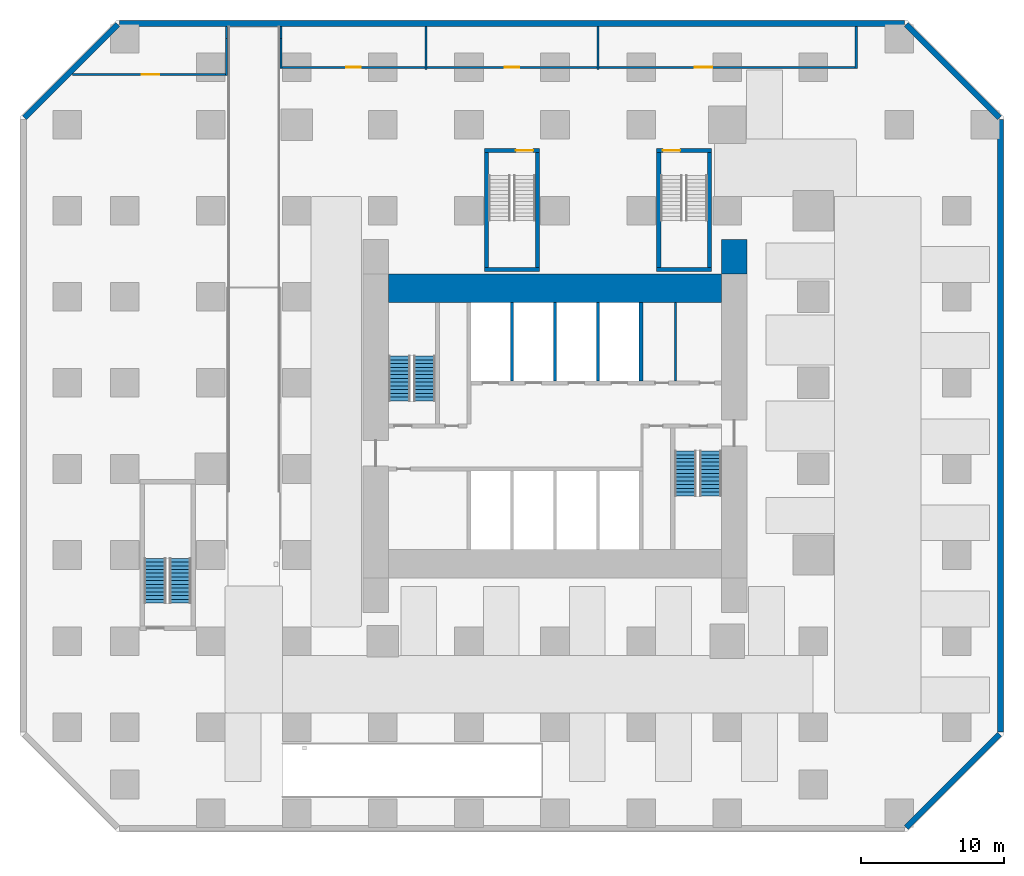
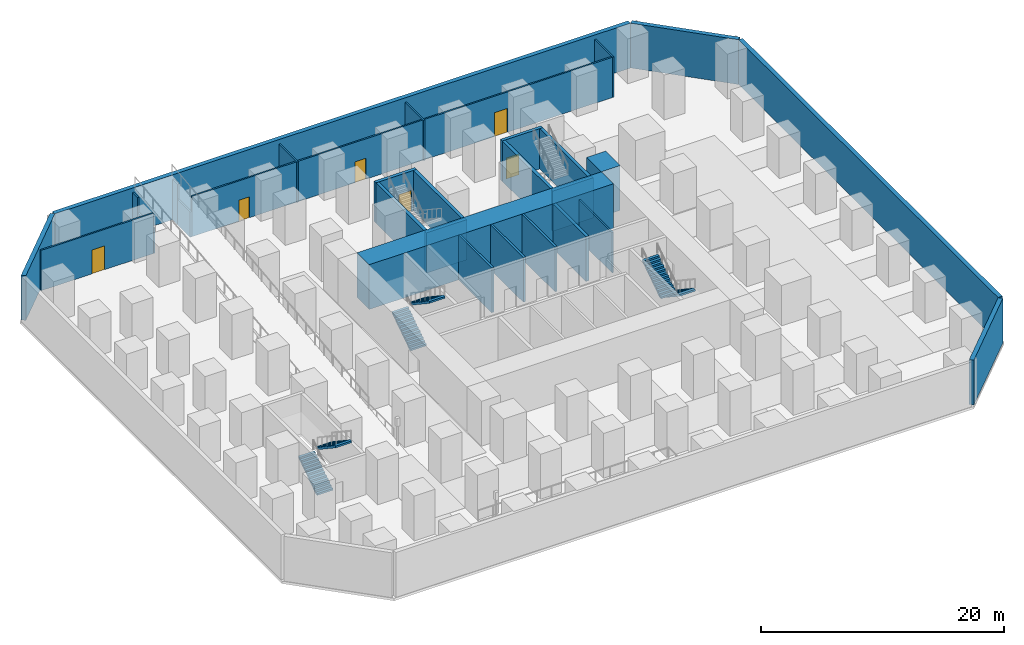
# One storey, part 3 of 6: 31 walls, 6 doors, 6 stair flights, 6 openings, 3 elements without a shape of their own.
"""IFC4 building model written with IfcOpenShell, lengths in metres."""

from ifc_helpers import new_model, si_unit, direction, frame, frame_2d, origin, place, context, subcontext, project, spatial, polyline, rectangle, outline, extrude, material, layer, layer_set, type_object, element, fill, aggregate, save


model = new_model("IFC4")

# Units and contexts
model_context = context("Model", 3, precision=1e-05, world=origin(), true_north=direction((0.0, 1.0)))
body_context = subcontext(model_context, "Body", "Model", "MODEL_VIEW")
ifc_project = project(units=[si_unit("LENGTHUNIT", "METRE"), si_unit("AREAUNIT", "SQUARE_METRE"), si_unit("VOLUMEUNIT", "CUBIC_METRE"), si_unit("PLANEANGLEUNIT", "RADIAN"), si_unit("MASSUNIT", "GRAM", prefix="KILO")], contexts=[model_context])

# Site, building, storey
site_placement = place(None, origin())
site = spatial("IfcSite", under=ifc_project, at=site_placement, CompositionType="ELEMENT")
building_placement = place(site_placement, origin())
building = spatial("IfcBuilding", under=site, at=building_placement, Name="Highveld Stack Headquarters", CompositionType="ELEMENT")
storey_placement = place(building_placement, frame((0.0, 0.0, -4.5)))
storey = spatial("IfcBuildingStorey", under=building, at=storey_placement, Name="B1", CompositionType="ELEMENT", Elevation=-4.5)

# Walls
ifc_material_1 = material(Name="Concrete C60/75", Category="concrete")
ifc_layer_1 = layer(ifc_material_1, 0.39990234375)
ifc_layer_set_1 = layer_set([ifc_layer_1], Name="Concrete C60/75")
wall_type_1 = type_object("IfcWallType", Name="BASEMENT RETAINING WALL 400", PredefinedType="USERDEFINED", material=ifc_layer_set_1)
wall_1_placement = place(storey_placement, frame((-30.989990234375, 24.494873046875, 0.0), z_axis=(0.0, 0.0, 1.0), x_axis=(0.707106781187, 0.707106781187, 0.0)))
element("IfcWall", 1, at=wall_1_placement, inside=storey, type_object=wall_type_1, Name="Basement retaining wall B1 3", ObjectType="RETAINING WALL", PredefinedType="USERDEFINED", context=body_context, shape_type="SweptSolid", body=[
    extrude(rectangle(XDim=9.185546875, YDim=0.39990234375, at=frame_2d((4.5927734375, 0.0))), origin(), (0.0, 0.0, 1.0), 4.5),
])
wall_2_placement = place(storey_placement, frame((-24.35009765625, 31.050048828125, 0.0), z_axis=(0.0, 0.0, 1.0), x_axis=(1.0, 0.0, 0.0)))
element("IfcWall", 2, at=wall_2_placement, inside=storey, type_object=wall_type_1, Name="Basement retaining wall B1 4", ObjectType="RETAINING WALL", PredefinedType="USERDEFINED", context=body_context, shape_type="SweptSolid", body=[
    extrude(rectangle(XDim=54.7001953125, YDim=0.39990234375, at=frame_2d((27.35009765625, 0.0))), origin(), (0.0, 0.0, 1.0), 4.5),
])
wall_3_placement = place(storey_placement, frame((30.494873046875, 30.989990234375, 0.0), z_axis=(0.0, 0.0, 1.0), x_axis=(0.707106781187, -0.707106781187, 0.0)))
element("IfcWall", 3, at=wall_3_placement, inside=storey, type_object=wall_type_1, Name="Basement retaining wall B1 5", ObjectType="RETAINING WALL", PredefinedType="USERDEFINED", context=body_context, shape_type="SweptSolid", body=[
    extrude(rectangle(XDim=9.185546875, YDim=0.39990234375, at=frame_2d((4.5927734375, 0.0))), origin(), (0.0, 0.0, 1.0), 4.5),
])
wall_4_placement = place(storey_placement, frame((37.050048828125, 24.35009765625, 0.0), z_axis=(0.0, 0.0, 1.0), x_axis=(0.0, -1.0, 0.0)))
element("IfcWall", 4, at=wall_4_placement, inside=storey, type_object=wall_type_1, Name="Basement retaining wall B1 6", ObjectType="RETAINING WALL", PredefinedType="USERDEFINED", context=body_context, shape_type="SweptSolid", body=[
    extrude(rectangle(XDim=42.7001953125, YDim=0.39990234375, at=frame_2d((21.35009765625, 0.0))), origin(), (0.0, 0.0, 1.0), 4.5),
])
wall_5_placement = place(storey_placement, frame((36.989990234375, -18.494873046875, 0.0), z_axis=(0.0, 0.0, 1.0), x_axis=(-0.707106781187, -0.707106781187, 0.0)))
element("IfcWall", 5, at=wall_5_placement, inside=storey, type_object=wall_type_1, Name="Basement retaining wall B1 7", ObjectType="RETAINING WALL", PredefinedType="USERDEFINED", context=body_context, shape_type="SweptSolid", body=[
    extrude(rectangle(XDim=9.185546875, YDim=0.39990234375, at=frame_2d((4.5927734375, 0.0))), origin(), (0.0, 0.0, 1.0), 4.5),
])
ifc_material_2 = material(Name="Concrete C60/75", Category="concrete")
ifc_layer_2 = layer(ifc_material_2, 2.0)
ifc_layer_set_2 = layer_set([ifc_layer_2], Name="Concrete C60/75")
wall_type_2 = type_object("IfcWallType", Name="CORE WALL 2000 C60/75", PredefinedType="SHEAR", material=ifc_layer_set_2)
wall_6_placement = place(storey_placement, frame((-5.60009765625, 12.60009765625, 0.0), z_axis=(0.0, 0.0, 1.0), x_axis=(1.0, 0.0, 0.0)))
element("IfcWall", 6, at=wall_6_placement, inside=storey, type_object=wall_type_2, Name="Core wall N B1", PredefinedType="SHEAR", context=body_context, shape_type="SweptSolid", body=[
    extrude(rectangle(XDim=23.2001953125, YDim=2.0, at=frame_2d((11.60009765625, 0.0))), origin(), (0.0, 0.0, 1.0), 4.5),
])
ifc_material_3 = material(Name="Concrete C60/75", Category="concrete")
ifc_layer_3 = layer(ifc_material_3, 0.300048828125)
ifc_layer_set_3 = layer_set([ifc_layer_3], Name="Concrete C60/75")
wall_type_3 = type_object("IfcWallType", Name="CORE WALL 300 C60/75", PredefinedType="SHEAR", material=ifc_layer_set_3)
wall_7_placement = place(storey_placement, frame((12.0, 6.14990234375, 0.0), z_axis=(0.0, 0.0, 1.0), x_axis=(0.0, 1.0, 0.0)))
element("IfcWall", 7, at=wall_7_placement, inside=storey, type_object=wall_type_3, Name="Core wall I-X12N B1", PredefinedType="SHEAR", context=body_context, shape_type="SweptSolid", body=[
    extrude(rectangle(XDim=5.4501953125, YDim=0.300048828125, at=frame_2d((2.72509765625, 0.0))), origin(), (0.0, 0.0, 1.0), 4.5),
])
ifc_material_4 = material(Name="Concrete C60/75", Category="concrete")
ifc_layer_4 = layer(ifc_material_4, 1.800048828125)
ifc_layer_set_4 = layer_set([ifc_layer_4], Name="Concrete C60/75")
wall_type_4 = type_object("IfcWallType", Name="CORE WING WALL 1800 C60/75", PredefinedType="SHEAR", material=ifc_layer_set_4)
wall_8_placement = place(storey_placement, frame((18.5, 13.60009765625, 0.0), z_axis=(0.0, 0.0, 1.0), x_axis=(0.0, 1.0, 0.0)))
element("IfcWall", 8, at=wall_8_placement, inside=storey, type_object=wall_type_4, Name="Core wing wall EN B1", PredefinedType="SHEAR", context=body_context, shape_type="SweptSolid", body=[
    extrude(rectangle(XDim=2.39990234375, YDim=1.800048828125, at=frame_2d((1.199951171875, 0.0))), origin(), (0.0, 0.0, 1.0), 4.5),
])

# Wall, opening, door
ifc_material_5 = material(Name="Concrete blockwork, plastered", Category="masonry")
ifc_layer_5 = layer(ifc_material_5, 0.14990234375)
ifc_layer_set_5 = layer_set([ifc_layer_5], Name="Concrete blockwork, plastered")
wall_type_5 = type_object("IfcWallType", Name="FIRE PARTITION 150 BLOCKWORK", PredefinedType="PARTITIONING", material=ifc_layer_set_5)
wall_9_placement = place(storey_placement, frame((-27.625, 27.5, 0.0), z_axis=(0.0, 0.0, 1.0), x_axis=(1.0, 0.0, 0.0)))
wall_9 = element("IfcWall", 9, at=wall_9_placement, inside=storey, type_object=wall_type_5, Name="Partition Refuse store B1", PredefinedType="PARTITIONING", context=body_context, shape_type="SweptSolid", body=[
    extrude(rectangle(XDim=10.64990234375, YDim=0.14990234375, at=frame_2d((5.324951171875, 0.0))), origin(), (0.0, 0.0, 1.0), 4.050048828125),
])
opening_1_placement = place(wall_9_placement, frame((4.824951171875, 0.0, 0.0)))
opening_1 = element("IfcOpeningElement", 10, at=opening_1_placement, cuts=wall_9, Name="Opening B1-13", PredefinedType="OPENING", context=body_context, shape_type="SweptSolid", body=[
    extrude(rectangle(XDim=1.199951171875, YDim=2.39990234375, at=frame_2d((0.60009765625, 1.199951171875))), frame((0.0, 0.0849609375, 0.0), z_axis=(0.0, -1.0, 0.0), x_axis=(1.0, 0.0, 0.0)), (0.0, 0.0, 1.0), 0.169921875),
])
ifc_material_6 = material(Name="Steel fire door", Category="steel")
door_type_1 = type_object("IfcDoorType", Name="PLANT FIRE DOOR D7 1200x2400", OperationType="SINGLE_SWING_LEFT", PredefinedType="DOOR", material=ifc_material_6)
door_1_placement = place(opening_1_placement, origin())
door_1 = element("IfcDoor", 11, at=door_1_placement, inside=storey, type_object=door_type_1, Name="Refuse store door 1 B1", OperationType="SINGLE_SWING_RIGHT", OverallHeight=2.39990234375, OverallWidth=1.199951171875, PredefinedType="DOOR", context=body_context, shape_type="SweptSolid", body=[
    extrude(rectangle(XDim=1.199951171875, YDim=2.39990234375, at=frame_2d((0.60009765625, 1.199951171875))), frame((0.0, 0.02490234375, 0.0), z_axis=(0.0, -1.0, 0.0), x_axis=(1.0, 0.0, 0.0)), (0.0, 0.0, 1.0), 0.050048828125),
])
fill(opening_1, door_1)

# Walls
wall_10_placement = place(storey_placement, frame((-16.89990234375, 27.425048828125, 0.0), z_axis=(0.0, 0.0, 1.0), x_axis=(0.0, 1.0, 0.0)))
element("IfcWall", 12, at=wall_10_placement, inside=storey, type_object=wall_type_5, Name="Partition Refuse store B1", PredefinedType="PARTITIONING", context=body_context, shape_type="SweptSolid", body=[
    extrude(rectangle(XDim=2.5849609375, YDim=0.14990234375, at=frame_2d((1.29248046875, 0.0))), origin(), (0.0, 0.0, 1.0), 2.550048828125),
])
wall_11_placement = place(storey_placement, frame((-16.89990234375, 30.010009765625, 0.0), z_axis=(0.0, 0.0, 1.0), x_axis=(0.0, 1.0, 0.0)))
element("IfcWall", 13, at=wall_11_placement, inside=storey, type_object=wall_type_5, Name="Partition Refuse store B1", PredefinedType="PARTITIONING", context=body_context, shape_type="SweptSolid", body=[
    extrude(rectangle(XDim=0.840087890625, YDim=0.14990234375, at=frame_2d((0.419921875, 0.0))), origin(), (0.0, 0.0, 1.0), 4.050048828125),
])

# Wall, opening, door
wall_12_placement = place(storey_placement, frame((9.074951171875, 28.0, 0.0), z_axis=(0.0, 0.0, 1.0), x_axis=(1.0, 0.0, 0.0)))
wall_12 = element("IfcWall", 14, at=wall_12_placement, inside=storey, type_object=wall_type_5, Name="Partition General store B1", PredefinedType="PARTITIONING", context=body_context, shape_type="SweptSolid", body=[
    extrude(rectangle(XDim=17.85009765625, YDim=0.14990234375, at=frame_2d((8.925048828125, 0.0))), origin(), (0.0, 0.0, 1.0), 4.050048828125),
])
opening_2_placement = place(wall_12_placement, frame((6.675048828125, 0.0, 0.0)))
opening_2 = element("IfcOpeningElement", 15, at=opening_2_placement, cuts=wall_12, Name="Opening B1-16", PredefinedType="OPENING", context=body_context, shape_type="SweptSolid", body=[
    extrude(rectangle(XDim=1.199951171875, YDim=2.39990234375, at=frame_2d((0.60009765625, 1.199951171875))), frame((0.0, 0.0849609375, 0.0), z_axis=(0.0, -1.0, 0.0), x_axis=(1.0, 0.0, 0.0)), (0.0, 0.0, 1.0), 0.169921875),
])
door_2_placement = place(opening_2_placement, origin())
door_2 = element("IfcDoor", 16, at=door_2_placement, inside=storey, type_object=door_type_1, Name="General store door 1 B1", OperationType="SINGLE_SWING_LEFT", OverallHeight=2.39990234375, OverallWidth=1.199951171875, PredefinedType="DOOR", context=body_context, shape_type="SweptSolid", body=[
    extrude(rectangle(XDim=1.199951171875, YDim=2.39990234375, at=frame_2d((0.60009765625, 1.199951171875))), frame((0.0, 0.02490234375, 0.0), z_axis=(0.0, -1.0, 0.0), x_axis=(1.0, 0.0, 0.0)), (0.0, 0.0, 1.0), 0.050048828125),
])
fill(opening_2, door_2)

# Walls
wall_13_placement = place(storey_placement, frame((27.0, 27.925048828125, 0.0), z_axis=(0.0, 0.0, 1.0), x_axis=(0.0, 1.0, 0.0)))
element("IfcWall", 17, at=wall_13_placement, inside=storey, type_object=wall_type_5, Name="Partition General store B1", PredefinedType="PARTITIONING", context=body_context, shape_type="SweptSolid", body=[
    extrude(rectangle(XDim=2.925048828125, YDim=0.14990234375, at=frame_2d((1.46240234375, 0.0))), origin(), (0.0, 0.0, 1.0), 4.050048828125),
])
ifc_material_7 = material(Name="Concrete blockwork, fair-faced", Category="masonry")
ifc_layer_6 = layer(ifc_material_7, 0.199951171875)
ifc_layer_set_6 = layer_set([ifc_layer_6], Name="Concrete blockwork, fair-faced")
wall_type_6 = type_object("IfcWallType", Name="LIFT SHAFT ENCLOSURE WALL 200 BLOCKWORK", PredefinedType="SOLIDWALL", material=ifc_layer_set_6)
for number, where, z_axis, x_axis, name in (
    (18, (3.0, 6.14990234375, 0.0), (0.0, 0.0, 1.0), (0.0, 1.0, 0.0), "Lift shaft wall B1"),
    (19, (6.0, 6.14990234375, 0.0), (0.0, 0.0, 1.0), (0.0, 1.0, 0.0), "Lift shaft wall B1"),
    (20, (9.0, 6.14990234375, 0.0), (0.0, 0.0, 1.0), (0.0, 1.0, 0.0), "Lift shaft wall B1"),
):
    element("IfcWall", number, at=place(storey_placement, frame(where, z_axis=z_axis, x_axis=x_axis)), inside=storey, type_object=wall_type_6, Name=name, PredefinedType="SOLIDWALL", context=body_context, shape_type="SweptSolid", body=[
        extrude(rectangle(XDim=5.4501953125, YDim=0.199951171875, at=frame_2d((2.72509765625, 0.0))), origin(), (0.0, 0.0, 1.0), 4.5),
    ])

# Wall, opening, door
ifc_material_8 = material(Name="Gypsum plasterboard on steel studs", Category="steel")
ifc_layer_7 = layer(ifc_material_8, 0.14990234375)
ifc_layer_set_7 = layer_set([ifc_layer_7], Name="Gypsum plasterboard on steel studs")
wall_type_7 = type_object("IfcWallType", Name="PARTITION 150 PLASTERBOARD", PredefinedType="PARTITIONING", material=ifc_layer_set_7)
wall_14_placement = place(storey_placement, frame((-13.02490234375, 28.0, 0.0), z_axis=(0.0, 0.0, 1.0), x_axis=(1.0, 0.0, 0.0)))
wall_14 = element("IfcWall", 21, at=wall_14_placement, inside=storey, type_object=wall_type_7, Name="Partition Bicycle store B1", PredefinedType="PARTITIONING", context=body_context, shape_type="SweptSolid", body=[
    extrude(rectangle(XDim=9.949951171875, YDim=0.14990234375, at=frame_2d((4.97509765625, 0.0))), origin(), (0.0, 0.0, 1.0), 4.050048828125),
])
opening_3_placement = place(wall_14_placement, frame((4.47509765625, 0.0, 0.0)))
opening_3 = element("IfcOpeningElement", 22, at=opening_3_placement, cuts=wall_14, Name="Opening B1-14", PredefinedType="OPENING", context=body_context, shape_type="SweptSolid", body=[
    extrude(rectangle(XDim=1.0, YDim=2.10009765625, at=frame_2d((0.5, 1.050048828125))), frame((0.0, 0.0849609375, 0.0), z_axis=(0.0, -1.0, 0.0), x_axis=(1.0, 0.0, 0.0)), (0.0, 0.0, 1.0), 0.169921875),
])
ifc_material_9 = material(Name="Timber door, oiled ash", Category="wood")
door_type_2 = type_object("IfcDoorType", Name="ROOM DOOR D6 1000x2100", OperationType="SINGLE_SWING_LEFT", PredefinedType="DOOR", material=ifc_material_9)
door_3_placement = place(opening_3_placement, origin())
door_3 = element("IfcDoor", 23, at=door_3_placement, inside=storey, type_object=door_type_2, Name="Bicycle store door 1 B1", OperationType="SINGLE_SWING_LEFT", OverallHeight=2.10009765625, OverallWidth=1.0, PredefinedType="DOOR", context=body_context, shape_type="SweptSolid", body=[
    extrude(rectangle(XDim=1.0, YDim=2.10009765625, at=frame_2d((0.5, 1.050048828125))), frame((0.0, 0.02490234375, 0.0), z_axis=(0.0, -1.0, 0.0), x_axis=(1.0, 0.0, 0.0)), (0.0, 0.0, 1.0), 0.050048828125),
])
fill(opening_3, door_3)

# Walls
wall_15_placement = place(storey_placement, frame((-13.10009765625, 27.925048828125, 0.0), z_axis=(0.0, 0.0, 1.0), x_axis=(0.0, 1.0, 0.0)))
element("IfcWall", 24, at=wall_15_placement, inside=storey, type_object=wall_type_7, Name="Partition Bicycle store B1", PredefinedType="PARTITIONING", context=body_context, shape_type="SweptSolid", body=[
    extrude(rectangle(XDim=2.0849609375, YDim=0.14990234375, at=frame_2d((1.04248046875, 0.0))), origin(), (0.0, 0.0, 1.0), 2.550048828125),
])
wall_16_placement = place(storey_placement, frame((-13.10009765625, 30.010009765625, 0.0), z_axis=(0.0, 0.0, 1.0), x_axis=(0.0, 1.0, 0.0)))
element("IfcWall", 25, at=wall_16_placement, inside=storey, type_object=wall_type_7, Name="Partition Bicycle store B1", PredefinedType="PARTITIONING", context=body_context, shape_type="SweptSolid", body=[
    extrude(rectangle(XDim=0.840087890625, YDim=0.14990234375, at=frame_2d((0.419921875, 0.0))), origin(), (0.0, 0.0, 1.0), 4.050048828125),
])
wall_17_placement = place(storey_placement, frame((-3.0, 27.85009765625, 0.0), z_axis=(0.0, 0.0, 1.0), x_axis=(0.0, 1.0, 0.0)))
element("IfcWall", 26, at=wall_17_placement, inside=storey, type_object=wall_type_7, Name="Partition Bicycle store B1", PredefinedType="PARTITIONING", context=body_context, shape_type="SweptSolid", body=[
    extrude(rectangle(XDim=3.0, YDim=0.14990234375, at=frame_2d((1.5, 0.0))), origin(), (0.0, 0.0, 1.0), 4.050048828125),
])

# Wall, opening, door
wall_18_placement = place(storey_placement, frame((-2.925048828125, 28.0, 0.0), z_axis=(0.0, 0.0, 1.0), x_axis=(1.0, 0.0, 0.0)))
wall_18 = element("IfcWall", 27, at=wall_18_placement, inside=storey, type_object=wall_type_7, Name="Partition Staff changing room B1", PredefinedType="PARTITIONING", context=body_context, shape_type="SweptSolid", body=[
    extrude(rectangle(XDim=11.85009765625, YDim=0.14990234375, at=frame_2d((5.925048828125, 0.0))), origin(), (0.0, 0.0, 1.0), 4.050048828125),
])
opening_4_placement = place(wall_18_placement, frame((5.425048828125, 0.0, 0.0)))
opening_4 = element("IfcOpeningElement", 28, at=opening_4_placement, cuts=wall_18, Name="Opening B1-15", PredefinedType="OPENING", context=body_context, shape_type="SweptSolid", body=[
    extrude(rectangle(XDim=1.0, YDim=2.10009765625, at=frame_2d((0.5, 1.050048828125))), frame((0.0, 0.0849609375, 0.0), z_axis=(0.0, -1.0, 0.0), x_axis=(1.0, 0.0, 0.0)), (0.0, 0.0, 1.0), 0.169921875),
])
door_4_placement = place(opening_4_placement, origin())
door_4 = element("IfcDoor", 29, at=door_4_placement, inside=storey, type_object=door_type_2, Name="Staff changing room door 1 B1", OperationType="SINGLE_SWING_LEFT", OverallHeight=2.10009765625, OverallWidth=1.0, PredefinedType="DOOR", context=body_context, shape_type="SweptSolid", body=[
    extrude(rectangle(XDim=1.0, YDim=2.10009765625, at=frame_2d((0.5, 1.050048828125))), frame((0.0, 0.02490234375, 0.0), z_axis=(0.0, -1.0, 0.0), x_axis=(1.0, 0.0, 0.0)), (0.0, 0.0, 1.0), 0.050048828125),
])
fill(opening_4, door_4)

# Walls
wall_19_placement = place(storey_placement, frame((9.0, 27.85009765625, 0.0), z_axis=(0.0, 0.0, 1.0), x_axis=(0.0, 1.0, 0.0)))
element("IfcWall", 30, at=wall_19_placement, inside=storey, type_object=wall_type_7, Name="Partition Staff changing room B1", PredefinedType="PARTITIONING", context=body_context, shape_type="SweptSolid", body=[
    extrude(rectangle(XDim=3.0, YDim=0.14990234375, at=frame_2d((1.5, 0.0))), origin(), (0.0, 0.0, 1.0), 4.050048828125),
])
ifc_material_10 = material(Name="Concrete C40/50", Category="concrete")
ifc_layer_8 = layer(ifc_material_10, 0.300048828125)
ifc_layer_set_8 = layer_set([ifc_layer_8], Name="Concrete C40/50")
wall_type_8 = type_object("IfcWallType", Name="STAIR ENCLOSURE WALL 300", PredefinedType="SOLIDWALL", material=ifc_layer_set_8)
wall_20_placement = place(storey_placement, frame((13.074951171875, 13.89990234375, 0.0), z_axis=(0.0, 0.0, 1.0), x_axis=(1.0, 0.0, 0.0)))
element("IfcWall", 31, at=wall_20_placement, inside=storey, type_object=wall_type_8, Name="Stair PS2 enclosure S B1", PredefinedType="SOLIDWALL", context=body_context, shape_type="SweptSolid", body=[
    extrude(rectangle(XDim=3.85009765625, YDim=0.300048828125, at=frame_2d((1.925048828125, 0.0))), origin(), (0.0, 0.0, 1.0), 4.050048828125),
])

# Wall, opening, door
wall_21_placement = place(storey_placement, frame((13.074951171875, 22.199951171875, 0.0), z_axis=(0.0, 0.0, 1.0), x_axis=(1.0, 0.0, 0.0)))
wall_21 = element("IfcWall", 32, at=wall_21_placement, inside=storey, type_object=wall_type_8, Name="Stair PS2 enclosure N B1", PredefinedType="SOLIDWALL", context=body_context, shape_type="SweptSolid", body=[
    extrude(rectangle(XDim=3.85009765625, YDim=0.300048828125, at=frame_2d((1.925048828125, 0.0))), origin(), (0.0, 0.0, 1.0), 4.050048828125),
])
opening_5_placement = place(wall_21_placement, frame((0.449951171875, 0.0, 0.0)))
opening_5 = element("IfcOpeningElement", 33, at=opening_5_placement, cuts=wall_21, Name="Opening B1-11", PredefinedType="OPENING", context=body_context, shape_type="SweptSolid", body=[
    extrude(rectangle(XDim=1.199951171875, YDim=2.10009765625, at=frame_2d((0.60009765625, 1.050048828125))), frame((0.0, 0.159912109375, 0.0), z_axis=(0.0, -1.0, 0.0), x_axis=(1.0, 0.0, 0.0)), (0.0, 0.0, 1.0), 0.320068359375),
])
ifc_material_11 = material(Name="Steel fire door", Category="steel")
door_type_3 = type_object("IfcDoorType", Name="STAIR FIRE DOOR D3 1200x2100", OperationType="SINGLE_SWING_LEFT", PredefinedType="DOOR", material=ifc_material_11)
door_5_placement = place(opening_5_placement, origin())
door_5 = element("IfcDoor", 34, at=door_5_placement, inside=storey, type_object=door_type_3, Name="Stair PS2 door B1", OperationType="SINGLE_SWING_LEFT", OverallHeight=2.10009765625, OverallWidth=1.199951171875, PredefinedType="DOOR", context=body_context, shape_type="SweptSolid", body=[
    extrude(rectangle(XDim=1.199951171875, YDim=2.10009765625, at=frame_2d((0.60009765625, 1.050048828125))), frame((0.0, 0.02490234375, 0.0), z_axis=(0.0, -1.0, 0.0), x_axis=(1.0, 0.0, 0.0)), (0.0, 0.0, 1.0), 0.050048828125),
])
fill(opening_5, door_5)

# Walls
for number, where, z_axis, x_axis, name in (
    (35, (13.22509765625, 14.050048828125, 0.0), (0.0, 0.0, 1.0), (0.0, 1.0, 0.0), "Stair PS2 enclosure W B1"),
    (36, (16.77490234375, 14.050048828125, 0.0), (0.0, 0.0, 1.0), (0.0, 1.0, 0.0), "Stair PS2 enclosure E B1"),
):
    element("IfcWall", number, at=place(storey_placement, frame(where, z_axis=z_axis, x_axis=x_axis)), inside=storey, type_object=wall_type_8, Name=name, PredefinedType="SOLIDWALL", context=body_context, shape_type="SweptSolid", body=[
        extrude(rectangle(XDim=8.0, YDim=0.300048828125, at=frame_2d((4.0, 0.0))), origin(), (0.0, 0.0, 1.0), 4.050048828125),
    ])
wall_22_placement = place(storey_placement, frame((1.074951171875, 13.89990234375, 0.0), z_axis=(0.0, 0.0, 1.0), x_axis=(1.0, 0.0, 0.0)))
element("IfcWall", 37, at=wall_22_placement, inside=storey, type_object=wall_type_8, Name="Stair PS3 enclosure S B1", PredefinedType="SOLIDWALL", context=body_context, shape_type="SweptSolid", body=[
    extrude(rectangle(XDim=3.85009765625, YDim=0.300048828125, at=frame_2d((1.925048828125, 0.0))), origin(), (0.0, 0.0, 1.0), 4.050048828125),
])

# Wall, opening, door
wall_23_placement = place(storey_placement, frame((1.074951171875, 22.199951171875, 0.0), z_axis=(0.0, 0.0, 1.0), x_axis=(1.0, 0.0, 0.0)))
wall_23 = element("IfcWall", 38, at=wall_23_placement, inside=storey, type_object=wall_type_8, Name="Stair PS3 enclosure N B1", PredefinedType="SOLIDWALL", context=body_context, shape_type="SweptSolid", body=[
    extrude(rectangle(XDim=3.85009765625, YDim=0.300048828125, at=frame_2d((1.925048828125, 0.0))), origin(), (0.0, 0.0, 1.0), 4.050048828125),
])
opening_6_placement = place(wall_23_placement, frame((2.199951171875, 0.0, 0.0)))
opening_6 = element("IfcOpeningElement", 39, at=opening_6_placement, cuts=wall_23, Name="Opening B1-12", PredefinedType="OPENING", context=body_context, shape_type="SweptSolid", body=[
    extrude(rectangle(XDim=1.199951171875, YDim=2.10009765625, at=frame_2d((0.60009765625, 1.050048828125))), frame((0.0, 0.159912109375, 0.0), z_axis=(0.0, -1.0, 0.0), x_axis=(1.0, 0.0, 0.0)), (0.0, 0.0, 1.0), 0.320068359375),
])
door_6_placement = place(opening_6_placement, origin())
door_6 = element("IfcDoor", 40, at=door_6_placement, inside=storey, type_object=door_type_3, Name="Stair PS3 door B1", OperationType="SINGLE_SWING_RIGHT", OverallHeight=2.10009765625, OverallWidth=1.199951171875, PredefinedType="DOOR", context=body_context, shape_type="SweptSolid", body=[
    extrude(rectangle(XDim=1.199951171875, YDim=2.10009765625, at=frame_2d((0.60009765625, 1.050048828125))), frame((0.0, 0.02490234375, 0.0), z_axis=(0.0, -1.0, 0.0), x_axis=(1.0, 0.0, 0.0)), (0.0, 0.0, 1.0), 0.050048828125),
])
fill(opening_6, door_6)

# Walls
for number, where, z_axis, x_axis, name in (
    (41, (1.22509765625, 14.050048828125, 0.0), (0.0, 0.0, 1.0), (0.0, 1.0, 0.0), "Stair PS3 enclosure W B1"),
    (42, (4.77490234375, 14.050048828125, 0.0), (0.0, 0.0, 1.0), (0.0, 1.0, 0.0), "Stair PS3 enclosure E B1"),
):
    element("IfcWall", number, at=place(storey_placement, frame(where, z_axis=z_axis, x_axis=x_axis)), inside=storey, type_object=wall_type_8, Name=name, PredefinedType="SOLIDWALL", context=body_context, shape_type="SweptSolid", body=[
        extrude(rectangle(XDim=8.0, YDim=0.300048828125, at=frame_2d((4.0, 0.0))), origin(), (0.0, 0.0, 1.0), 4.050048828125),
    ])
ifc_material_12 = material(Name="Concrete blockwork, tiled", Category="masonry")
ifc_layer_9 = layer(ifc_material_12, 0.14990234375)
ifc_layer_set_9 = layer_set([ifc_layer_9], Name="Concrete blockwork, tiled")
wall_type_9 = type_object("IfcWallType", Name="WC PARTITION 150", PredefinedType="PLUMBINGWALL", material=ifc_layer_set_9)
wall_24_placement = place(storey_placement, frame((14.39990234375, 6.14990234375, 0.0), z_axis=(0.0, 0.0, 1.0), x_axis=(0.0, 1.0, 0.0)))
element("IfcWall", 43, at=wall_24_placement, inside=storey, type_object=wall_type_9, Name="Toilet partition B1", PredefinedType="PLUMBINGWALL", context=body_context, shape_type="SweptSolid", body=[
    extrude(rectangle(XDim=5.4501953125, YDim=0.14990234375, at=frame_2d((2.72509765625, 0.0))), origin(), (0.0, 0.0, 1.0), 4.050048828125),
])

# Stair, stair flights
ifc_material_13 = material(Name="Concrete C40/50, precast", Category="concrete")
stair_type_1 = type_object("IfcStairType", Name="STAIR S1 HALF TURN 1500", PredefinedType="HALF_TURN_STAIR", material=ifc_material_13)
stair_1_placement = place(storey_placement, origin())
stair_1 = element("IfcStair", 44, at=stair_1_placement, inside=storey, type_object=stair_type_1, Name="Stair S1 B1", PredefinedType="HALF_TURN_STAIR")
ifc_material_14 = material(Name="Concrete C40/50, precast", Category="concrete")
stair_flight_type = type_object("IfcStairFlightType", Name="STAIR FLIGHT 1500 PRECAST", PredefinedType="STRAIGHT", material=ifc_material_14)
stair_flight_1_placement = place(storey_placement, frame((-4.85009765625, 4.75, 0.0), z_axis=(0.0, 0.0, 1.0), x_axis=(0.0, 1.0, 0.0)))
stair_flight_1 = element("IfcStairFlight", 45, at=stair_flight_1_placement, type_object=stair_flight_type, Name="S1 flight 1", NumberOfRisers=13, NumberOfTreads=12, PredefinedType="STRAIGHT", RiserHeight=0.173076923, TreadLength=0.26, context=body_context, shape_type="SweptSolid", body=[
    extrude(outline(polyline([(0.0, 0.0), (0.0, 0.173095703125), (0.260009765625, 0.173095703125), (0.260009765625, 0.34619140625), (0.52001953125, 0.34619140625), (0.52001953125, 0.519287109375), (0.780029296875, 0.519287109375), (0.780029296875, 0.6923828125), (1.0400390625, 0.6923828125), (1.0400390625, 0.865478515625), (1.300048828125, 0.865478515625), (1.300048828125, 1.03857421875), (1.56005859375, 1.03857421875), (1.56005859375, 1.21142578125), (1.820068359375, 1.21142578125), (1.820068359375, 1.384521484375), (2.080078125, 1.384521484375), (2.080078125, 1.5576171875), (2.340087890625, 1.5576171875), (2.340087890625, 1.730712890625), (2.60009765625, 1.730712890625), (2.60009765625, 1.90380859375), (2.860107421875, 1.90380859375), (2.860107421875, 2.076904296875), (3.1201171875, 2.076904296875), (3.1201171875, 2.25), (3.1201171875, 1.896728515625), (0.2705078125, 0.0), (0.0, 0.0)])), frame((0.0, 0.75, 0.0), z_axis=(0.0, -1.0, 0.0), x_axis=(1.0, 0.0, 0.0)), (0.0, 0.0, 1.0), 1.5),
])
stair_flight_2_placement = place(storey_placement, frame((-3.10009765625, 7.8701171875, 2.25), z_axis=(0.0, 0.0, 1.0), x_axis=(0.0, -1.0, 0.0)))
stair_flight_2 = element("IfcStairFlight", 46, at=stair_flight_2_placement, type_object=stair_flight_type, Name="S1 flight 2", NumberOfRisers=13, NumberOfTreads=12, PredefinedType="STRAIGHT", RiserHeight=0.173076923, TreadLength=0.26, context=body_context, shape_type="SweptSolid", body=[
    extrude(outline(polyline([(0.0, 0.0), (0.0, 0.173095703125), (0.260009765625, 0.173095703125), (0.260009765625, 0.34619140625), (0.52001953125, 0.34619140625), (0.52001953125, 0.519287109375), (0.780029296875, 0.519287109375), (0.780029296875, 0.6923828125), (1.0400390625, 0.6923828125), (1.0400390625, 0.865478515625), (1.300048828125, 0.865478515625), (1.300048828125, 1.03857421875), (1.56005859375, 1.03857421875), (1.56005859375, 1.21142578125), (1.820068359375, 1.21142578125), (1.820068359375, 1.384521484375), (2.080078125, 1.384521484375), (2.080078125, 1.5576171875), (2.340087890625, 1.5576171875), (2.340087890625, 1.730712890625), (2.60009765625, 1.730712890625), (2.60009765625, 1.90380859375), (2.860107421875, 1.90380859375), (2.860107421875, 2.076904296875), (3.1201171875, 2.076904296875), (3.1201171875, 2.25), (3.1201171875, 1.896728515625), (0.2705078125, 0.0), (0.0, 0.0)])), frame((0.0, 0.75, 0.0), z_axis=(0.0, -1.0, 0.0), x_axis=(1.0, 0.0, 0.0)), (0.0, 0.0, 1.0), 1.5),
])
aggregate(stair_1, [stair_flight_1, stair_flight_2])

ifc_material_15 = material(Name="Concrete C40/50, precast", Category="concrete")
stair_type_2 = type_object("IfcStairType", Name="STAIR S2 HALF TURN 1500", PredefinedType="HALF_TURN_STAIR", material=ifc_material_15)
stair_2_placement = place(storey_placement, origin())
stair_2 = element("IfcStair", 47, at=stair_2_placement, inside=storey, type_object=stair_type_2, Name="Stair S2 B1", PredefinedType="HALF_TURN_STAIR")
stair_flight_3_placement = place(storey_placement, frame((16.85009765625, 1.25, 0.0), z_axis=(0.0, 0.0, 1.0), x_axis=(0.0, -1.0, 0.0)))
stair_flight_3 = element("IfcStairFlight", 48, at=stair_flight_3_placement, type_object=stair_flight_type, Name="S2 flight 1", NumberOfRisers=13, NumberOfTreads=12, PredefinedType="STRAIGHT", RiserHeight=0.173076923, TreadLength=0.26, context=body_context, shape_type="SweptSolid", body=[
    extrude(outline(polyline([(0.0, 0.0), (0.0, 0.173095703125), (0.260009765625, 0.173095703125), (0.260009765625, 0.34619140625), (0.52001953125, 0.34619140625), (0.52001953125, 0.519287109375), (0.780029296875, 0.519287109375), (0.780029296875, 0.6923828125), (1.0400390625, 0.6923828125), (1.0400390625, 0.865478515625), (1.300048828125, 0.865478515625), (1.300048828125, 1.03857421875), (1.56005859375, 1.03857421875), (1.56005859375, 1.21142578125), (1.820068359375, 1.21142578125), (1.820068359375, 1.384521484375), (2.080078125, 1.384521484375), (2.080078125, 1.5576171875), (2.340087890625, 1.5576171875), (2.340087890625, 1.730712890625), (2.60009765625, 1.730712890625), (2.60009765625, 1.90380859375), (2.860107421875, 1.90380859375), (2.860107421875, 2.076904296875), (3.1201171875, 2.076904296875), (3.1201171875, 2.25), (3.1201171875, 1.896728515625), (0.2705078125, 0.0), (0.0, 0.0)])), frame((0.0, 0.75, 0.0), z_axis=(0.0, -1.0, 0.0), x_axis=(1.0, 0.0, 0.0)), (0.0, 0.0, 1.0), 1.5),
])
stair_flight_4_placement = place(storey_placement, frame((15.10009765625, -1.8701171875, 2.25), z_axis=(0.0, 0.0, 1.0), x_axis=(0.0, 1.0, 0.0)))
stair_flight_4 = element("IfcStairFlight", 49, at=stair_flight_4_placement, type_object=stair_flight_type, Name="S2 flight 2", NumberOfRisers=13, NumberOfTreads=12, PredefinedType="STRAIGHT", RiserHeight=0.173076923, TreadLength=0.26, context=body_context, shape_type="SweptSolid", body=[
    extrude(outline(polyline([(0.0, 0.0), (0.0, 0.173095703125), (0.260009765625, 0.173095703125), (0.260009765625, 0.34619140625), (0.52001953125, 0.34619140625), (0.52001953125, 0.519287109375), (0.780029296875, 0.519287109375), (0.780029296875, 0.6923828125), (1.0400390625, 0.6923828125), (1.0400390625, 0.865478515625), (1.300048828125, 0.865478515625), (1.300048828125, 1.03857421875), (1.56005859375, 1.03857421875), (1.56005859375, 1.21142578125), (1.820068359375, 1.21142578125), (1.820068359375, 1.384521484375), (2.080078125, 1.384521484375), (2.080078125, 1.5576171875), (2.340087890625, 1.5576171875), (2.340087890625, 1.730712890625), (2.60009765625, 1.730712890625), (2.60009765625, 1.90380859375), (2.860107421875, 1.90380859375), (2.860107421875, 2.076904296875), (3.1201171875, 2.076904296875), (3.1201171875, 2.25), (3.1201171875, 1.896728515625), (0.2705078125, 0.0), (0.0, 0.0)])), frame((0.0, 0.75, 0.0), z_axis=(0.0, -1.0, 0.0), x_axis=(1.0, 0.0, 0.0)), (0.0, 0.0, 1.0), 1.5),
])
aggregate(stair_2, [stair_flight_3, stair_flight_4])

ifc_material_16 = material(Name="Concrete C40/50, precast", Category="concrete")
stair_type_3 = type_object("IfcStairType", Name="STAIR PS1 HALF TURN 1500", PredefinedType="HALF_TURN_STAIR", material=ifc_material_16)
stair_3_placement = place(storey_placement, origin())
stair_3 = element("IfcStair", 50, at=stair_3_placement, inside=storey, type_object=stair_type_3, Name="Stair PS1 B1", PredefinedType="HALF_TURN_STAIR")
stair_flight_5_placement = place(storey_placement, frame((-21.875, -9.35009765625, 0.0), z_axis=(0.0, 0.0, 1.0), x_axis=(0.0, 1.0, 0.0)))
stair_flight_5 = element("IfcStairFlight", 51, at=stair_flight_5_placement, type_object=stair_flight_type, Name="PS1 flight 1", NumberOfRisers=13, NumberOfTreads=12, PredefinedType="STRAIGHT", RiserHeight=0.173076923, TreadLength=0.26, context=body_context, shape_type="SweptSolid", body=[
    extrude(outline(polyline([(0.0, 0.0), (0.0, 0.173095703125), (0.260009765625, 0.173095703125), (0.260009765625, 0.34619140625), (0.52001953125, 0.34619140625), (0.52001953125, 0.519287109375), (0.780029296875, 0.519287109375), (0.780029296875, 0.6923828125), (1.0400390625, 0.6923828125), (1.0400390625, 0.865478515625), (1.300048828125, 0.865478515625), (1.300048828125, 1.03857421875), (1.56005859375, 1.03857421875), (1.56005859375, 1.21142578125), (1.820068359375, 1.21142578125), (1.820068359375, 1.384521484375), (2.080078125, 1.384521484375), (2.080078125, 1.5576171875), (2.340087890625, 1.5576171875), (2.340087890625, 1.730712890625), (2.60009765625, 1.730712890625), (2.60009765625, 1.90380859375), (2.860107421875, 1.90380859375), (2.860107421875, 2.076904296875), (3.1201171875, 2.076904296875), (3.1201171875, 2.25), (3.1201171875, 1.896728515625), (0.2705078125, 0.0), (0.0, 0.0)])), frame((0.0, 0.75, 0.0), z_axis=(0.0, -1.0, 0.0), x_axis=(1.0, 0.0, 0.0)), (0.0, 0.0, 1.0), 1.5),
])
stair_flight_6_placement = place(storey_placement, frame((-20.125, -6.22998046875, 2.25), z_axis=(0.0, 0.0, 1.0), x_axis=(0.0, -1.0, 0.0)))
stair_flight_6 = element("IfcStairFlight", 52, at=stair_flight_6_placement, type_object=stair_flight_type, Name="PS1 flight 2", NumberOfRisers=13, NumberOfTreads=12, PredefinedType="STRAIGHT", RiserHeight=0.173076923, TreadLength=0.26, context=body_context, shape_type="SweptSolid", body=[
    extrude(outline(polyline([(0.0, 0.0), (0.0, 0.173095703125), (0.260009765625, 0.173095703125), (0.260009765625, 0.34619140625), (0.52001953125, 0.34619140625), (0.52001953125, 0.519287109375), (0.780029296875, 0.519287109375), (0.780029296875, 0.6923828125), (1.0400390625, 0.6923828125), (1.0400390625, 0.865478515625), (1.300048828125, 0.865478515625), (1.300048828125, 1.03857421875), (1.56005859375, 1.03857421875), (1.56005859375, 1.21142578125), (1.820068359375, 1.21142578125), (1.820068359375, 1.384521484375), (2.080078125, 1.384521484375), (2.080078125, 1.5576171875), (2.340087890625, 1.5576171875), (2.340087890625, 1.730712890625), (2.60009765625, 1.730712890625), (2.60009765625, 1.90380859375), (2.860107421875, 1.90380859375), (2.860107421875, 2.076904296875), (3.1201171875, 2.076904296875), (3.1201171875, 2.25), (3.1201171875, 1.896728515625), (0.2705078125, 0.0), (0.0, 0.0)])), frame((0.0, 0.75, 0.0), z_axis=(0.0, -1.0, 0.0), x_axis=(1.0, 0.0, 0.0)), (0.0, 0.0, 1.0), 1.5),
])
aggregate(stair_3, [stair_flight_5, stair_flight_6])

save(model, "model.ifc")
